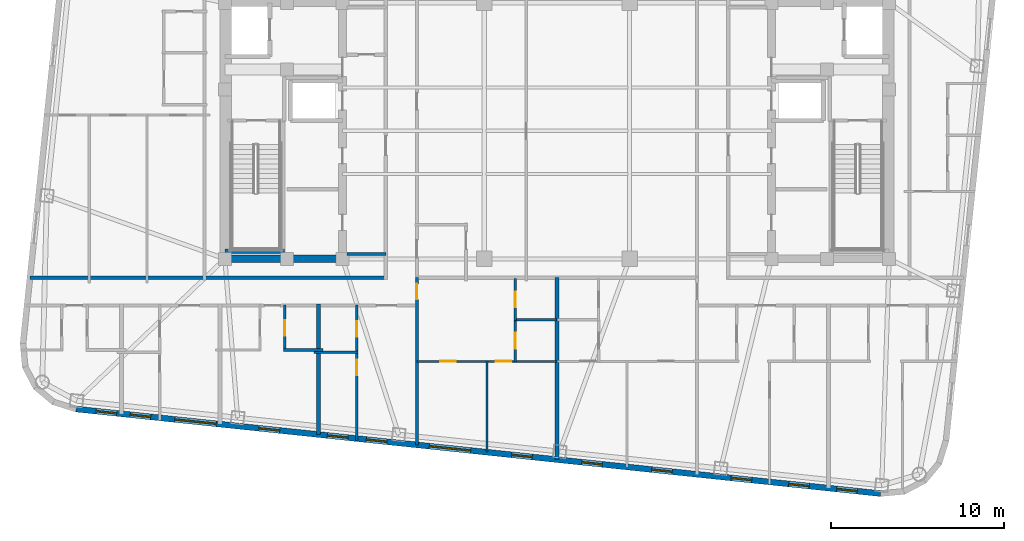
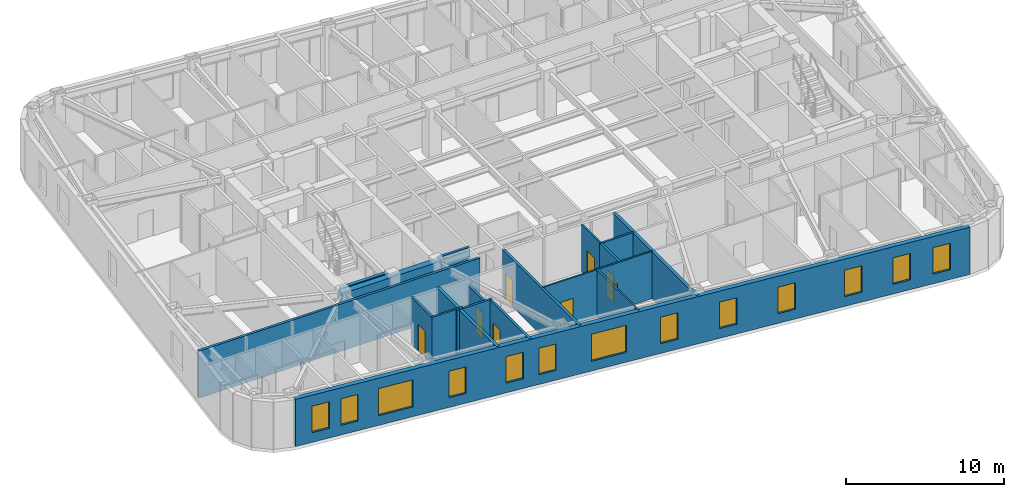
# One storey, part 3 of 11: 18 walls, 13 windows, 8 doors, 21 openings.
"""IFC4 building model written with IfcOpenShell, lengths in metres."""

from ifc_helpers import new_model, si_unit, direction, frame, frame_2d, origin, place, context, subcontext, project, spatial, rectangle, extrude, material, layer, layer_set, type_object, element, fill, save


model = new_model("IFC4")

# Units and contexts
model_context = context("Model", 3, precision=1e-05, world=origin(), true_north=direction((0.0, 1.0)))
body_context = subcontext(model_context, "Body", "Model", "MODEL_VIEW")
ifc_project = project(units=[si_unit("LENGTHUNIT", "METRE"), si_unit("AREAUNIT", "SQUARE_METRE"), si_unit("VOLUMEUNIT", "CUBIC_METRE"), si_unit("PLANEANGLEUNIT", "RADIAN"), si_unit("MASSUNIT", "GRAM", prefix="KILO")], contexts=[model_context])

# Site, building, storey
site_placement = place(None, origin())
site = spatial("IfcSite", under=ifc_project, at=site_placement, CompositionType="ELEMENT")
building_placement = place(site_placement, origin())
building = spatial("IfcBuilding", under=site, at=building_placement, Name="Voryun Gate Residences", CompositionType="ELEMENT")
storey_placement = place(building_placement, frame((0.0, 0.0, 271.699951171875)))
storey = spatial("IfcBuildingStorey", under=building, at=storey_placement, Name="L67", CompositionType="ELEMENT", Elevation=271.699951171875)

# Walls
ifc_material_1 = material(Name="Concrete C50/60", Category="concrete")
ifc_layer_1 = layer(ifc_material_1, 0.449951171875, Name="CW_CORE_450")
ifc_layer_set_1 = layer_set([ifc_layer_1], Name="Concrete C50/60")
wall_type_1 = type_object("IfcWallType", Name="CW_CORE_450", PredefinedType="SHEAR", material=ifc_layer_set_1)
wall_1_placement = place(storey_placement, frame((-19.425048828125, -7.39990234375, 0.0), z_axis=(0.0, 0.0, 1.0), x_axis=(1.0, 0.0, 0.0)))
element("IfcWall", 1, at=wall_1_placement, inside=storey, type_object=wall_type_1, Name="L67 Core shear wall CW-L67-WS", PredefinedType="SHEAR", context=body_context, shape_type="SweptSolid", body=[
    extrude(rectangle(XDim=7.25, YDim=0.449951171875, at=frame_2d((3.625, 0.0))), origin(), (0.0, 0.0, 1.0), 3.650146484375),
])
ifc_material_2 = material(Name="Gypsum acoustic fireboard")
ifc_layer_2 = layer(ifc_material_2, 0.179931640625, Name="W_CORR_RATED_180")
ifc_layer_set_2 = layer_set([ifc_layer_2], Name="Gypsum acoustic fireboard")
wall_type_2 = type_object("IfcWallType", Name="W_CORR_RATED_180", PredefinedType="PARTITIONING", material=ifc_layer_set_2)
wall_2_placement = place(storey_placement, frame((-12.14990234375, -7.1201171875, 0.0), z_axis=(0.0, 0.0, 1.0), x_axis=(1.0, 0.0, 0.0)))
element("IfcWall", 2, at=wall_2_placement, inside=storey, type_object=wall_type_2, Name="Partition wall WP-L67-PLBS-W", PredefinedType="PARTITIONING", context=body_context, shape_type="SweptSolid", body=[
    extrude(rectangle(XDim=2.27001953125, YDim=0.179931640625, at=frame_2d((1.135009765625, 0.0))), origin(), (0.0, 0.0, 1.0), 3.650146484375),
])
wall_3_placement = place(storey_placement, frame((-30.47021484375, -8.489990234375, 0.0), z_axis=(0.0, 0.0, 1.0), x_axis=(1.0, 0.0, 0.0)))
element("IfcWall", 3, at=wall_3_placement, inside=storey, type_object=wall_type_2, Name="Partition wall WP-L67-CWING-WS", PredefinedType="PARTITIONING", context=body_context, shape_type="SweptSolid", body=[
    extrude(rectangle(XDim=20.59033203125, YDim=0.179931640625, at=frame_2d((10.295166015625, 0.0))), origin(), (0.0, 0.0, 1.0), 3.650146484375),
])

# Wall, opening, door
wall_4_placement = place(storey_placement, frame((-8.10009765625, -18.154541015625, 0.0), z_axis=(0.0, 0.0, 1.0), x_axis=(0.0, 1.0, 0.0)))
wall_4 = element("IfcWall", 4, at=wall_4_placement, inside=storey, type_object=wall_type_2, Name="Partition wall WP-L67-SZV-1", PredefinedType="PARTITIONING", context=body_context, shape_type="SweptSolid", body=[
    extrude(rectangle(XDim=9.66455078125, YDim=0.179931640625, at=frame_2d((4.832275390625, 0.0))), origin(), (0.0, 0.0, 1.0), 3.650146484375),
])
opening_1_placement = place(wall_4_placement, frame((8.414306640625, 0.0, 0.0)))
opening_1 = element("IfcOpeningElement", 5, at=opening_1_placement, cuts=wall_4, Name="Opening D-INT-2", PredefinedType="OPENING", context=body_context, shape_type="SweptSolid", body=[
    extrude(rectangle(XDim=0.89990234375, YDim=2.050048828125, at=frame_2d((0.449951171875, 1.02490234375))), frame((0.0, 0.099853515625, 0.0), z_axis=(0.0, -1.0, 0.0), x_axis=(1.0, 0.0, 0.0)), (0.0, 0.0, 1.0), 0.199951171875),
])
ifc_material_3 = material(Name="Architectural oak veneer")
door_type = type_object("IfcDoorType", Name="DR_INT_BATH_900", OperationType="NOTDEFINED", PredefinedType="DOOR", material=ifc_material_3)
door_1_placement = place(opening_1_placement, origin())
door_1 = element("IfcDoor", 6, at=door_1_placement, inside=storey, type_object=door_type, Name="Door DR-L67-SZENT-1", OperationType="SINGLE_SWING_LEFT", OverallHeight=2.050048828125, OverallWidth=0.89990234375, PredefinedType="DOOR", context=body_context, shape_type="SweptSolid", body=[
    extrude(rectangle(XDim=0.89990234375, YDim=2.050048828125, at=frame_2d((0.449951171875, 1.02490234375))), frame((0.0, 0.02490234375, 0.0), z_axis=(0.0, -1.0, 0.0), x_axis=(1.0, 0.0, 0.0)), (0.0, 0.0, 1.0), 0.050048828125),
])
fill(opening_1, door_1)

# Wall, openings, windows
ifc_material_4 = material(Name="Charcoal terracotta masonry", Category="masonry")
ifc_layer_3 = layer(ifc_material_4, 0.340087890625, Name="W_EXT_TERRACOTTA_340")
ifc_layer_set_3 = layer_set([ifc_layer_3], Name="Charcoal terracotta masonry")
wall_type_3 = type_object("IfcWallType", Name="W_EXT_TERRACOTTA_340", PredefinedType="ELEMENTEDWALL", material=ifc_layer_set_3)
wall_5_placement = place(storey_placement, frame((18.707763671875, -20.97216796875, 0.0), z_axis=(0.0, 0.0, 1.0), x_axis=(-0.994521888554, 0.104528528102, 0.0)))
wall_5 = element("IfcWall", 7, at=wall_5_placement, inside=storey, type_object=wall_type_3, Name="Exterior wall WEXT-L67-01", PredefinedType="ELEMENTEDWALL", context=body_context, shape_type="SweptSolid", body=[
    extrude(rectangle(XDim=46.766357421875, YDim=0.340087890625, at=frame_2d((23.38330078125, 0.0))), origin(), (0.0, 0.0, 1.0), 3.650146484375),
])
opening_2_placement = place(wall_5_placement, frame((23.833251953125, 0.0, 0.75)))
opening_2 = element("IfcOpeningElement", 8, at=opening_2_placement, cuts=wall_5, Name="Opening WN2", PredefinedType="OPENING", context=body_context, shape_type="SweptSolid", body=[
    extrude(rectangle(XDim=2.39990234375, YDim=2.10009765625, at=frame_2d((1.199951171875, 1.050048828125))), frame((0.0, 0.179931640625, 0.0), z_axis=(0.0, -1.0, 0.0), x_axis=(1.0, 0.0, 0.0)), (0.0, 0.0, 1.0), 0.360107421875),
])
opening_3_placement = place(wall_5_placement, frame((38.6220703125, 0.0, 0.75)))
opening_3 = element("IfcOpeningElement", 9, at=opening_3_placement, cuts=wall_5, Name="Opening WN2", PredefinedType="OPENING", context=body_context, shape_type="SweptSolid", body=[
    extrude(rectangle(XDim=2.39990234375, YDim=2.10009765625, at=frame_2d((1.199951171875, 1.050048828125))), frame((0.0, 0.179931640625, 0.0), z_axis=(0.0, -1.0, 0.0), x_axis=(1.0, 0.0, 0.0)), (0.0, 0.0, 1.0), 0.360107421875),
])
opening_4_placement = place(wall_5_placement, frame((44.40185546875, 0.0, 0.75)))
opening_4 = element("IfcOpeningElement", 10, at=opening_4_placement, cuts=wall_5, Name="Opening WN6", PredefinedType="OPENING", context=body_context, shape_type="SweptSolid", body=[
    extrude(rectangle(XDim=1.199951171875, YDim=2.050048828125, at=frame_2d((0.60009765625, 1.02490234375))), frame((0.0, 0.179931640625, 0.0), z_axis=(0.0, -1.0, 0.0), x_axis=(1.0, 0.0, 0.0)), (0.0, 0.0, 1.0), 0.360107421875),
])
opening_5_placement = place(wall_5_placement, frame((42.418701171875, 0.0, 0.75)))
opening_5 = element("IfcOpeningElement", 11, at=opening_5_placement, cuts=wall_5, Name="Opening WN6", PredefinedType="OPENING", context=body_context, shape_type="SweptSolid", body=[
    extrude(rectangle(XDim=1.199951171875, YDim=2.050048828125, at=frame_2d((0.60009765625, 1.02490234375))), frame((0.0, 0.179931640625, 0.0), z_axis=(0.0, -1.0, 0.0), x_axis=(1.0, 0.0, 0.0)), (0.0, 0.0, 1.0), 0.360107421875),
])
opening_6_placement = place(wall_5_placement, frame((34.93310546875, 0.0, 0.75)))
opening_6 = element("IfcOpeningElement", 12, at=opening_6_placement, cuts=wall_5, Name="Opening WN6", PredefinedType="OPENING", context=body_context, shape_type="SweptSolid", body=[
    extrude(rectangle(XDim=1.199951171875, YDim=2.050048828125, at=frame_2d((0.60009765625, 1.02490234375))), frame((0.0, 0.179931640625, 0.0), z_axis=(0.0, -1.0, 0.0), x_axis=(1.0, 0.0, 0.0)), (0.0, 0.0, 1.0), 0.360107421875),
])
opening_7_placement = place(wall_5_placement, frame((28.69189453125, 0.0, 0.75)))
opening_7 = element("IfcOpeningElement", 13, at=opening_7_placement, cuts=wall_5, Name="Opening WN6", PredefinedType="OPENING", context=body_context, shape_type="SweptSolid", body=[
    extrude(rectangle(XDim=1.199951171875, YDim=2.050048828125, at=frame_2d((0.60009765625, 1.02490234375))), frame((0.0, 0.179931640625, 0.0), z_axis=(0.0, -1.0, 0.0), x_axis=(1.0, 0.0, 0.0)), (0.0, 0.0, 1.0), 0.360107421875),
])
opening_8_placement = place(wall_5_placement, frame((30.95703125, 0.0, 0.75)))
opening_8 = element("IfcOpeningElement", 14, at=opening_8_placement, cuts=wall_5, Name="Opening WN6", PredefinedType="OPENING", context=body_context, shape_type="SweptSolid", body=[
    extrude(rectangle(XDim=1.199951171875, YDim=2.050048828125, at=frame_2d((0.60009765625, 1.02490234375))), frame((0.0, 0.179931640625, 0.0), z_axis=(0.0, -1.0, 0.0), x_axis=(1.0, 0.0, 0.0)), (0.0, 0.0, 1.0), 0.360107421875),
])
opening_9_placement = place(wall_5_placement, frame((7.491943359375, 0.0, 0.75)))
opening_9 = element("IfcOpeningElement", 15, at=opening_9_placement, cuts=wall_5, Name="Opening WN6", PredefinedType="OPENING", context=body_context, shape_type="SweptSolid", body=[
    extrude(rectangle(XDim=1.199951171875, YDim=2.050048828125, at=frame_2d((0.60009765625, 1.02490234375))), frame((0.0, 0.179931640625, 0.0), z_axis=(0.0, -1.0, 0.0), x_axis=(1.0, 0.0, 0.0)), (0.0, 0.0, 1.0), 0.360107421875),
])
opening_10_placement = place(wall_5_placement, frame((4.14111328125, 0.0, 0.75)))
opening_10 = element("IfcOpeningElement", 16, at=opening_10_placement, cuts=wall_5, Name="Opening WN6", PredefinedType="OPENING", context=body_context, shape_type="SweptSolid", body=[
    extrude(rectangle(XDim=1.199951171875, YDim=2.050048828125, at=frame_2d((0.60009765625, 1.02490234375))), frame((0.0, 0.179931640625, 0.0), z_axis=(0.0, -1.0, 0.0), x_axis=(1.0, 0.0, 0.0)), (0.0, 0.0, 1.0), 0.360107421875),
])
opening_11_placement = place(wall_5_placement, frame((1.359619140625, 0.0, 0.75)))
opening_11 = element("IfcOpeningElement", 17, at=opening_11_placement, cuts=wall_5, Name="Opening WN6", PredefinedType="OPENING", context=body_context, shape_type="SweptSolid", body=[
    extrude(rectangle(XDim=1.199951171875, YDim=2.050048828125, at=frame_2d((0.60009765625, 1.02490234375))), frame((0.0, 0.179931640625, 0.0), z_axis=(0.0, -1.0, 0.0), x_axis=(1.0, 0.0, 0.0)), (0.0, 0.0, 1.0), 0.360107421875),
])
opening_12_placement = place(wall_5_placement, frame((20.25439453125, 0.0, 0.75)))
opening_12 = element("IfcOpeningElement", 18, at=opening_12_placement, cuts=wall_5, Name="Opening WN6", PredefinedType="OPENING", context=body_context, shape_type="SweptSolid", body=[
    extrude(rectangle(XDim=1.199951171875, YDim=2.050048828125, at=frame_2d((0.60009765625, 1.02490234375))), frame((0.0, 0.179931640625, 0.0), z_axis=(0.0, -1.0, 0.0), x_axis=(1.0, 0.0, 0.0)), (0.0, 0.0, 1.0), 0.360107421875),
])
opening_13_placement = place(wall_5_placement, frame((16.172119140625, 0.0, 0.75)))
opening_13 = element("IfcOpeningElement", 19, at=opening_13_placement, cuts=wall_5, Name="Opening WN6", PredefinedType="OPENING", context=body_context, shape_type="SweptSolid", body=[
    extrude(rectangle(XDim=1.199951171875, YDim=2.050048828125, at=frame_2d((0.60009765625, 1.02490234375))), frame((0.0, 0.179931640625, 0.0), z_axis=(0.0, -1.0, 0.0), x_axis=(1.0, 0.0, 0.0)), (0.0, 0.0, 1.0), 0.360107421875),
])
opening_14_placement = place(wall_5_placement, frame((12.109619140625, 0.0, 0.75)))
opening_14 = element("IfcOpeningElement", 20, at=opening_14_placement, cuts=wall_5, Name="Opening WN6", PredefinedType="OPENING", context=body_context, shape_type="SweptSolid", body=[
    extrude(rectangle(XDim=1.199951171875, YDim=2.050048828125, at=frame_2d((0.60009765625, 1.02490234375))), frame((0.0, 0.179931640625, 0.0), z_axis=(0.0, -1.0, 0.0), x_axis=(1.0, 0.0, 0.0)), (0.0, 0.0, 1.0), 0.360107421875),
])
ifc_material_5 = material(Name="Laminated low-E glass", Category="glass")
window_type_1 = type_object("IfcWindowType", Name="WN_POD_SLOT_1200", PartitioningType="SINGLE_PANEL", PredefinedType="WINDOW", material=ifc_material_5)
window_1_placement = place(opening_4_placement, origin())
window_1 = element("IfcWindow", 21, at=window_1_placement, inside=storey, type_object=window_type_1, Name="Window WN-L67-DWFIX-15", OverallHeight=2.050048828125, OverallWidth=1.199951171875, PartitioningType="SINGLE_PANEL", PredefinedType="WINDOW", context=body_context, shape_type="SweptSolid", body=[
    extrude(rectangle(XDim=1.199951171875, YDim=2.050048828125, at=frame_2d((0.60009765625, 1.02490234375))), frame((0.0, 0.030029296875, 0.0), z_axis=(0.0, -1.0, 0.0), x_axis=(1.0, 0.0, 0.0)), (0.0, 0.0, 1.0), 0.06005859375),
])
fill(opening_4, window_1)
window_2_placement = place(opening_5_placement, origin())
window_2 = element("IfcWindow", 22, at=window_2_placement, inside=storey, type_object=window_type_1, Name="Window WN-L67-DWFIX-16", OverallHeight=2.050048828125, OverallWidth=1.199951171875, PartitioningType="SINGLE_PANEL", PredefinedType="WINDOW", context=body_context, shape_type="SweptSolid", body=[
    extrude(rectangle(XDim=1.199951171875, YDim=2.050048828125, at=frame_2d((0.60009765625, 1.02490234375))), frame((0.0, 0.030029296875, 0.0), z_axis=(0.0, -1.0, 0.0), x_axis=(1.0, 0.0, 0.0)), (0.0, 0.0, 1.0), 0.06005859375),
])
fill(opening_5, window_2)
window_3_placement = place(opening_6_placement, origin())
window_3 = element("IfcWindow", 23, at=window_3_placement, inside=storey, type_object=window_type_1, Name="Window WN-L67-DWFIX-17", OverallHeight=2.050048828125, OverallWidth=1.199951171875, PartitioningType="SINGLE_PANEL", PredefinedType="WINDOW", context=body_context, shape_type="SweptSolid", body=[
    extrude(rectangle(XDim=1.199951171875, YDim=2.050048828125, at=frame_2d((0.60009765625, 1.02490234375))), frame((0.0, 0.030029296875, 0.0), z_axis=(0.0, -1.0, 0.0), x_axis=(1.0, 0.0, 0.0)), (0.0, 0.0, 1.0), 0.06005859375),
])
fill(opening_6, window_3)
window_4_placement = place(opening_7_placement, origin())
window_4 = element("IfcWindow", 24, at=window_4_placement, inside=storey, type_object=window_type_1, Name="Window WN-L67-DWFIX-18", OverallHeight=2.050048828125, OverallWidth=1.199951171875, PartitioningType="SINGLE_PANEL", PredefinedType="WINDOW", context=body_context, shape_type="SweptSolid", body=[
    extrude(rectangle(XDim=1.199951171875, YDim=2.050048828125, at=frame_2d((0.60009765625, 1.02490234375))), frame((0.0, 0.030029296875, 0.0), z_axis=(0.0, -1.0, 0.0), x_axis=(1.0, 0.0, 0.0)), (0.0, 0.0, 1.0), 0.06005859375),
])
fill(opening_7, window_4)
window_5_placement = place(opening_8_placement, origin())
window_5 = element("IfcWindow", 25, at=window_5_placement, inside=storey, type_object=window_type_1, Name="Window WN-L67-DWFIX-19", OverallHeight=2.050048828125, OverallWidth=1.199951171875, PartitioningType="SINGLE_PANEL", PredefinedType="WINDOW", context=body_context, shape_type="SweptSolid", body=[
    extrude(rectangle(XDim=1.199951171875, YDim=2.050048828125, at=frame_2d((0.60009765625, 1.02490234375))), frame((0.0, 0.030029296875, 0.0), z_axis=(0.0, -1.0, 0.0), x_axis=(1.0, 0.0, 0.0)), (0.0, 0.0, 1.0), 0.06005859375),
])
fill(opening_8, window_5)
window_6_placement = place(opening_9_placement, origin())
window_6 = element("IfcWindow", 26, at=window_6_placement, inside=storey, type_object=window_type_1, Name="Window WN-L67-DWFIX-20", OverallHeight=2.050048828125, OverallWidth=1.199951171875, PartitioningType="SINGLE_PANEL", PredefinedType="WINDOW", context=body_context, shape_type="SweptSolid", body=[
    extrude(rectangle(XDim=1.199951171875, YDim=2.050048828125, at=frame_2d((0.60009765625, 1.02490234375))), frame((0.0, 0.030029296875, 0.0), z_axis=(0.0, -1.0, 0.0), x_axis=(1.0, 0.0, 0.0)), (0.0, 0.0, 1.0), 0.06005859375),
])
fill(opening_9, window_6)
window_7_placement = place(opening_10_placement, origin())
window_7 = element("IfcWindow", 27, at=window_7_placement, inside=storey, type_object=window_type_1, Name="Window WN-L67-DWFIX-21", OverallHeight=2.050048828125, OverallWidth=1.199951171875, PartitioningType="SINGLE_PANEL", PredefinedType="WINDOW", context=body_context, shape_type="SweptSolid", body=[
    extrude(rectangle(XDim=1.199951171875, YDim=2.050048828125, at=frame_2d((0.60009765625, 1.02490234375))), frame((0.0, 0.030029296875, 0.0), z_axis=(0.0, -1.0, 0.0), x_axis=(1.0, 0.0, 0.0)), (0.0, 0.0, 1.0), 0.06005859375),
])
fill(opening_10, window_7)
window_8_placement = place(opening_11_placement, origin())
window_8 = element("IfcWindow", 28, at=window_8_placement, inside=storey, type_object=window_type_1, Name="Window WN-L67-DWFIX-22", OverallHeight=2.050048828125, OverallWidth=1.199951171875, PartitioningType="SINGLE_PANEL", PredefinedType="WINDOW", context=body_context, shape_type="SweptSolid", body=[
    extrude(rectangle(XDim=1.199951171875, YDim=2.050048828125, at=frame_2d((0.60009765625, 1.02490234375))), frame((0.0, 0.030029296875, 0.0), z_axis=(0.0, -1.0, 0.0), x_axis=(1.0, 0.0, 0.0)), (0.0, 0.0, 1.0), 0.06005859375),
])
fill(opening_11, window_8)
window_9_placement = place(opening_12_placement, origin())
window_9 = element("IfcWindow", 29, at=window_9_placement, inside=storey, type_object=window_type_1, Name="Window WN-L67-DWFIX-24", OverallHeight=2.050048828125, OverallWidth=1.199951171875, PartitioningType="SINGLE_PANEL", PredefinedType="WINDOW", context=body_context, shape_type="SweptSolid", body=[
    extrude(rectangle(XDim=1.199951171875, YDim=2.050048828125, at=frame_2d((0.60009765625, 1.02490234375))), frame((0.0, 0.030029296875, 0.0), z_axis=(0.0, -1.0, 0.0), x_axis=(1.0, 0.0, 0.0)), (0.0, 0.0, 1.0), 0.06005859375),
])
fill(opening_12, window_9)
window_10_placement = place(opening_13_placement, origin())
window_10 = element("IfcWindow", 30, at=window_10_placement, inside=storey, type_object=window_type_1, Name="Window WN-L67-DWFIX-25", OverallHeight=2.050048828125, OverallWidth=1.199951171875, PartitioningType="SINGLE_PANEL", PredefinedType="WINDOW", context=body_context, shape_type="SweptSolid", body=[
    extrude(rectangle(XDim=1.199951171875, YDim=2.050048828125, at=frame_2d((0.60009765625, 1.02490234375))), frame((0.0, 0.030029296875, 0.0), z_axis=(0.0, -1.0, 0.0), x_axis=(1.0, 0.0, 0.0)), (0.0, 0.0, 1.0), 0.06005859375),
])
fill(opening_13, window_10)
window_11_placement = place(opening_14_placement, origin())
window_11 = element("IfcWindow", 31, at=window_11_placement, inside=storey, type_object=window_type_1, Name="Window WN-L67-DWFIX-26", OverallHeight=2.050048828125, OverallWidth=1.199951171875, PartitioningType="SINGLE_PANEL", PredefinedType="WINDOW", context=body_context, shape_type="SweptSolid", body=[
    extrude(rectangle(XDim=1.199951171875, YDim=2.050048828125, at=frame_2d((0.60009765625, 1.02490234375))), frame((0.0, 0.030029296875, 0.0), z_axis=(0.0, -1.0, 0.0), x_axis=(1.0, 0.0, 0.0)), (0.0, 0.0, 1.0), 0.06005859375),
])
fill(opening_14, window_11)
ifc_material_6 = material(Name="Laminated low-E glass", Category="glass")
window_type_2 = type_object("IfcWindowType", Name="WN_RES_WIDE_2400", PartitioningType="SINGLE_PANEL", PredefinedType="WINDOW", material=ifc_material_6)
window_12_placement = place(opening_2_placement, origin())
window_12 = element("IfcWindow", 32, at=window_12_placement, inside=storey, type_object=window_type_2, Name="Window WN-WEXT-L67-01-02", OverallHeight=2.10009765625, OverallWidth=2.39990234375, PartitioningType="SINGLE_PANEL", PredefinedType="WINDOW", context=body_context, shape_type="SweptSolid", body=[
    extrude(rectangle(XDim=2.39990234375, YDim=2.10009765625, at=frame_2d((1.199951171875, 1.050048828125))), frame((0.0, 0.030029296875, 0.0), z_axis=(0.0, -1.0, 0.0), x_axis=(1.0, 0.0, 0.0)), (0.0, 0.0, 1.0), 0.06005859375),
])
fill(opening_2, window_12)
window_13_placement = place(opening_3_placement, origin())
window_13 = element("IfcWindow", 33, at=window_13_placement, inside=storey, type_object=window_type_2, Name="Window WN-WEXT-L67-01-03", OverallHeight=2.10009765625, OverallWidth=2.39990234375, PartitioningType="SINGLE_PANEL", PredefinedType="WINDOW", context=body_context, shape_type="SweptSolid", body=[
    extrude(rectangle(XDim=2.39990234375, YDim=2.10009765625, at=frame_2d((1.199951171875, 1.050048828125))), frame((0.0, 0.030029296875, 0.0), z_axis=(0.0, -1.0, 0.0), x_axis=(1.0, 0.0, 0.0)), (0.0, 0.0, 1.0), 0.06005859375),
])
fill(opening_3, window_13)

# Walls
ifc_material_7 = material(Name="Concrete C40/50", Category="concrete")
ifc_layer_4 = layer(ifc_material_7, 0.219970703125, Name="W_PARTY_ACOUSTIC_220")
ifc_layer_set_4 = layer_set([ifc_layer_4], Name="Concrete C40/50")
wall_type_4 = type_object("IfcWallType", Name="W_PARTY_ACOUSTIC_220", PredefinedType="PARTITIONING", material=ifc_layer_set_4)
wall_6_placement = place(storey_placement, frame((-13.779052734375, -17.5576171875, 0.0), z_axis=(0.0, 0.0, 1.0), x_axis=(0.0, 1.0, 0.0)))
element("IfcWall", 34, at=wall_6_placement, inside=storey, type_object=wall_type_4, Name="Partition wall WP-L67-SPTY-3", PredefinedType="PARTITIONING", context=body_context, shape_type="SweptSolid", body=[
    extrude(rectangle(XDim=7.53759765625, YDim=0.219970703125, at=frame_2d((3.768798828125, 0.0))), origin(), (0.0, 0.0, 1.0), 3.650146484375),
])
wall_7_placement = place(storey_placement, frame((0.0, -19.005859375, 0.0), z_axis=(0.0, 0.0, 1.0), x_axis=(0.0, 1.0, 0.0)))
element("IfcWall", 35, at=wall_7_placement, inside=storey, type_object=wall_type_4, Name="Partition wall WP-L67-SZMID", PredefinedType="PARTITIONING", context=body_context, shape_type="SweptSolid", body=[
    extrude(rectangle(XDim=10.515869140625, YDim=0.219970703125, at=frame_2d((5.2578125, 0.0))), origin(), (0.0, 0.0, 1.0), 3.650146484375),
])
ifc_material_8 = material(Name="Concrete C50/60", Category="concrete")
ifc_layer_5 = layer(ifc_material_8, 0.25, Name="W_SHAFT_RC250")
ifc_layer_set_5 = layer_set([ifc_layer_5], Name="Concrete C50/60")
wall_type_5 = type_object("IfcWallType", Name="W_SHAFT_RC250", PredefinedType="SOLIDWALL", material=ifc_layer_set_5)
wall_8_placement = place(storey_placement, frame((-19.199951171875, -6.965087890625, 0.0), z_axis=(0.0, 0.0, 1.0), x_axis=(1.0, 0.0, 0.0)))
element("IfcWall", 36, at=wall_8_placement, inside=storey, type_object=wall_type_5, Name="L67 Stair shaft structural wall W-STS", PredefinedType="SOLIDWALL", context=body_context, shape_type="SweptSolid", body=[
    extrude(rectangle(XDim=3.4599609375, YDim=0.25, at=frame_2d((1.72998046875, 0.0))), origin(), (0.0, 0.0, 1.0), 3.650146484375),
])

# Wall, openings, doors
ifc_material_9 = material(Name="Gypsum acoustic partition")
ifc_layer_6 = layer(ifc_material_9, 0.125, Name="W_UNIT_PART_125")
ifc_layer_set_6 = layer_set([ifc_layer_6], Name="Gypsum acoustic partition")
wall_type_6 = type_object("IfcWallType", Name="W_UNIT_PART_125", PredefinedType="PARTITIONING", material=ifc_layer_set_6)
wall_9_placement = place(storey_placement, frame((-8.080078125, -13.330078125, 0.0), z_axis=(0.0, 0.0, 1.0), x_axis=(1.0, 0.0, 0.0)))
wall_9 = element("IfcWall", 37, at=wall_9_placement, inside=storey, type_object=wall_type_6, Name="Partition wall WP-L67-SC1-HZ", PredefinedType="PARTITIONING", context=body_context, shape_type="SweptSolid", body=[
    extrude(rectangle(XDim=8.06005859375, YDim=0.125, at=frame_2d((4.030029296875, 0.0))), origin(), (0.0, 0.0, 1.0), 3.650146484375),
])
opening_15_placement = place(wall_9_placement, frame((1.3232421875, 0.0, 0.0)))
opening_15 = element("IfcOpeningElement", 38, at=opening_15_placement, cuts=wall_9, Name="Opening D-INT-2", PredefinedType="OPENING", context=body_context, shape_type="SweptSolid", body=[
    extrude(rectangle(XDim=0.89990234375, YDim=2.050048828125, at=frame_2d((0.449951171875, 1.02490234375))), frame((0.0, 0.072509765625, 0.0), z_axis=(0.0, -1.0, 0.0), x_axis=(1.0, 0.0, 0.0)), (0.0, 0.0, 1.0), 0.14501953125),
])
opening_16_placement = place(wall_9_placement, frame((4.547119140625, 0.0, 0.0)))
opening_16 = element("IfcOpeningElement", 39, at=opening_16_placement, cuts=wall_9, Name="Opening D-INT-2", PredefinedType="OPENING", context=body_context, shape_type="SweptSolid", body=[
    extrude(rectangle(XDim=0.89990234375, YDim=2.050048828125, at=frame_2d((0.449951171875, 1.02490234375))), frame((0.0, 0.072509765625, 0.0), z_axis=(0.0, -1.0, 0.0), x_axis=(1.0, 0.0, 0.0)), (0.0, 0.0, 1.0), 0.14501953125),
])
door_2_placement = place(opening_15_placement, origin())
door_2 = element("IfcDoor", 40, at=door_2_placement, inside=storey, type_object=door_type, Name="Door DR-L67-SC1-DMB", OperationType="SINGLE_SWING_LEFT", OverallHeight=2.050048828125, OverallWidth=0.89990234375, PredefinedType="DOOR", context=body_context, shape_type="SweptSolid", body=[
    extrude(rectangle(XDim=0.89990234375, YDim=2.050048828125, at=frame_2d((0.449951171875, 1.02490234375))), frame((0.0, 0.02490234375, 0.0), z_axis=(0.0, -1.0, 0.0), x_axis=(1.0, 0.0, 0.0)), (0.0, 0.0, 1.0), 0.050048828125),
])
fill(opening_15, door_2)
door_3_placement = place(opening_16_placement, origin())
door_3 = element("IfcDoor", 41, at=door_3_placement, inside=storey, type_object=door_type, Name="Door DR-L67-SC1-DBD2", OperationType="SINGLE_SWING_RIGHT", OverallHeight=2.050048828125, OverallWidth=0.89990234375, PredefinedType="DOOR", context=body_context, shape_type="SweptSolid", body=[
    extrude(rectangle(XDim=0.89990234375, YDim=2.050048828125, at=frame_2d((0.449951171875, 1.02490234375))), frame((0.0, 0.02490234375, 0.0), z_axis=(0.0, -1.0, 0.0), x_axis=(1.0, 0.0, 0.0)), (0.0, 0.0, 1.0), 0.050048828125),
])
fill(opening_16, door_3)

# Wall, opening, door
wall_10_placement = place(storey_placement, frame((-2.409912109375, -10.9599609375, 0.0), z_axis=(0.0, 0.0, 1.0), x_axis=(0.0, 1.0, 0.0)))
wall_10 = element("IfcWall", 42, at=wall_10_placement, inside=storey, type_object=wall_type_6, Name="Partition wall WP-L67-SC1-VK1", PredefinedType="PARTITIONING", context=body_context, shape_type="SweptSolid", body=[
    extrude(rectangle(XDim=2.409912109375, YDim=0.125, at=frame_2d((1.205078125, 0.0))), origin(), (0.0, 0.0, 1.0), 3.650146484375),
])
opening_17_placement = place(wall_10_placement, frame((0.7548828125, 0.0, 0.0)))
opening_17 = element("IfcOpeningElement", 43, at=opening_17_placement, cuts=wall_10, Name="Opening D-INT-2", PredefinedType="OPENING", context=body_context, shape_type="SweptSolid", body=[
    extrude(rectangle(XDim=0.89990234375, YDim=2.050048828125, at=frame_2d((0.449951171875, 1.02490234375))), frame((0.0, 0.072509765625, 0.0), z_axis=(0.0, -1.0, 0.0), x_axis=(1.0, 0.0, 0.0)), (0.0, 0.0, 1.0), 0.14501953125),
])
door_4_placement = place(opening_17_placement, origin())
door_4 = element("IfcDoor", 44, at=door_4_placement, inside=storey, type_object=door_type, Name="Door DR-L67-SC1-DK", OperationType="SINGLE_SWING_LEFT", OverallHeight=2.050048828125, OverallWidth=0.89990234375, PredefinedType="DOOR", context=body_context, shape_type="SweptSolid", body=[
    extrude(rectangle(XDim=0.89990234375, YDim=2.050048828125, at=frame_2d((0.449951171875, 1.02490234375))), frame((0.0, 0.02490234375, 0.0), z_axis=(0.0, -1.0, 0.0), x_axis=(1.0, 0.0, 0.0)), (0.0, 0.0, 1.0), 0.050048828125),
])
fill(opening_17, door_4)

# Wall
wall_11_placement = place(storey_placement, frame((-4.050048828125, -18.580078125, 0.0), z_axis=(0.0, 0.0, 1.0), x_axis=(0.0, 1.0, 0.0)))
element("IfcWall", 45, at=wall_11_placement, inside=storey, type_object=wall_type_6, Name="Partition wall WP-L67-SC1-VBD", PredefinedType="PARTITIONING", context=body_context, shape_type="SweptSolid", body=[
    extrude(rectangle(XDim=5.2900390625, YDim=0.125, at=frame_2d((2.64501953125, 0.0))), origin(), (0.0, 0.0, 1.0), 3.650146484375),
])

# Wall, opening, door
ifc_material_10 = material(Name="Gypsum moisture-resistant partition")
ifc_layer_7 = layer(ifc_material_10, 0.14990234375, Name="W_WET_PLUMB_150")
ifc_layer_set_7 = layer_set([ifc_layer_7], Name="Gypsum moisture-resistant partition")
wall_type_7 = type_object("IfcWallType", Name="W_WET_PLUMB_150", PredefinedType="PLUMBINGWALL", material=ifc_layer_set_7)
wall_12_placement = place(storey_placement, frame((-15.736083984375, -12.72998046875, 0.0), z_axis=(0.0, 0.0, 1.0), x_axis=(0.0, 1.0, 0.0)))
wall_12 = element("IfcWall", 46, at=wall_12_placement, inside=storey, type_object=wall_type_7, Name="Partition wall WP-L67-S3-CVB", PredefinedType="PLUMBINGWALL", context=body_context, shape_type="SweptSolid", body=[
    extrude(rectangle(XDim=2.64990234375, YDim=0.14990234375, at=frame_2d((1.324951171875, 0.0))), origin(), (0.0, 0.0, 1.0), 3.650146484375),
])
opening_18_placement = place(wall_12_placement, frame((0.875, 0.0, 0.0)))
opening_18 = element("IfcOpeningElement", 47, at=opening_18_placement, cuts=wall_12, Name="Opening D-INT-2", PredefinedType="OPENING", context=body_context, shape_type="SweptSolid", body=[
    extrude(rectangle(XDim=0.89990234375, YDim=2.050048828125, at=frame_2d((0.449951171875, 1.02490234375))), frame((0.0, 0.0849609375, 0.0), z_axis=(0.0, -1.0, 0.0), x_axis=(1.0, 0.0, 0.0)), (0.0, 0.0, 1.0), 0.169921875),
])
door_5_placement = place(opening_18_placement, origin())
door_5 = element("IfcDoor", 48, at=door_5_placement, inside=storey, type_object=door_type, Name="Door DR-L67-S3-DB", OperationType="SINGLE_SWING_RIGHT", OverallHeight=2.050048828125, OverallWidth=0.89990234375, PredefinedType="DOOR", context=body_context, shape_type="SweptSolid", body=[
    extrude(rectangle(XDim=0.89990234375, YDim=2.050048828125, at=frame_2d((0.449951171875, 1.02490234375))), frame((0.0, 0.02490234375, 0.0), z_axis=(0.0, -1.0, 0.0), x_axis=(1.0, 0.0, 0.0)), (0.0, 0.0, 1.0), 0.050048828125),
])
fill(opening_18, door_5)

# Walls
wall_13_placement = place(storey_placement, frame((-15.7958984375, -12.669921875, 0.0), z_axis=(0.0, 0.0, 1.0), x_axis=(1.0, 0.0, 0.0)))
element("IfcWall", 49, at=wall_13_placement, inside=storey, type_object=wall_type_7, Name="Partition wall WP-L67-S3-CHB", PredefinedType="PLUMBINGWALL", context=body_context, shape_type="SweptSolid", body=[
    extrude(rectangle(XDim=2.27685546875, YDim=0.14990234375, at=frame_2d((1.138427734375, 0.0))), origin(), (0.0, 0.0, 1.0), 3.650146484375),
])
wall_14_placement = place(storey_placement, frame((-14.0390625, -12.800048828125, 0.0), z_axis=(0.0, 0.0, 1.0), x_axis=(1.0, 0.0, 0.0)))
element("IfcWall", 50, at=wall_14_placement, inside=storey, type_object=wall_type_7, Name="Partition wall WP-L67-S4-SKB", PredefinedType="PLUMBINGWALL", context=body_context, shape_type="SweptSolid", body=[
    extrude(rectangle(XDim=2.550048828125, YDim=0.14990234375, at=frame_2d((1.27490234375, 0.0))), origin(), (0.0, 0.0, 1.0), 3.650146484375),
])

# Wall, opening, door
wall_15_placement = place(storey_placement, frame((-11.569091796875, -17.94091796875, 0.0), z_axis=(0.0, 0.0, 1.0), x_axis=(0.0, 1.0, 0.0)))
wall_15 = element("IfcWall", 51, at=wall_15_placement, inside=storey, type_object=wall_type_7, Name="Partition wall WP-L67-S4-SVT1", PredefinedType="PLUMBINGWALL", context=body_context, shape_type="SweptSolid", body=[
    extrude(rectangle(XDim=5.180908203125, YDim=0.14990234375, at=frame_2d((2.59033203125, 0.0))), origin(), (0.0, 0.0, 1.0), 3.650146484375),
])
opening_19_placement = place(wall_15_placement, frame((3.79833984375, 0.0, 0.0)))
opening_19 = element("IfcOpeningElement", 52, at=opening_19_placement, cuts=wall_15, Name="Opening D-INT-2", PredefinedType="OPENING", context=body_context, shape_type="SweptSolid", body=[
    extrude(rectangle(XDim=0.89990234375, YDim=2.050048828125, at=frame_2d((0.449951171875, 1.02490234375))), frame((0.0, 0.0849609375, 0.0), z_axis=(0.0, -1.0, 0.0), x_axis=(1.0, 0.0, 0.0)), (0.0, 0.0, 1.0), 0.169921875),
])
door_6_placement = place(opening_19_placement, origin())
door_6 = element("IfcDoor", 53, at=door_6_placement, inside=storey, type_object=door_type, Name="Door DR-L67-S4-DK", OperationType="SINGLE_SWING_LEFT", OverallHeight=2.050048828125, OverallWidth=0.89990234375, PredefinedType="DOOR", context=body_context, shape_type="SweptSolid", body=[
    extrude(rectangle(XDim=0.89990234375, YDim=2.050048828125, at=frame_2d((0.449951171875, 1.02490234375))), frame((0.0, 0.02490234375, 0.0), z_axis=(0.0, -1.0, 0.0), x_axis=(1.0, 0.0, 0.0)), (0.0, 0.0, 1.0), 0.050048828125),
])
fill(opening_19, door_6)

wall_16_placement = place(storey_placement, frame((-11.569091796875, -12.840087890625, 0.0), z_axis=(0.0, 0.0, 1.0), x_axis=(0.0, 1.0, 0.0)))
wall_16 = element("IfcWall", 54, at=wall_16_placement, inside=storey, type_object=wall_type_7, Name="Partition wall WP-L67-S4-SVT2", PredefinedType="PLUMBINGWALL", context=body_context, shape_type="SweptSolid", body=[
    extrude(rectangle(XDim=2.760009765625, YDim=0.14990234375, at=frame_2d((1.3798828125, 0.0))), origin(), (0.0, 0.0, 1.0), 3.090087890625),
])
opening_20_placement = place(wall_16_placement, frame((0.929931640625, 0.0, 0.0)))
opening_20 = element("IfcOpeningElement", 55, at=opening_20_placement, cuts=wall_16, Name="Opening D-INT-2", PredefinedType="OPENING", context=body_context, shape_type="SweptSolid", body=[
    extrude(rectangle(XDim=0.89990234375, YDim=2.050048828125, at=frame_2d((0.449951171875, 1.02490234375))), frame((0.0, 0.0849609375, 0.0), z_axis=(0.0, -1.0, 0.0), x_axis=(1.0, 0.0, 0.0)), (0.0, 0.0, 1.0), 0.169921875),
])
door_7_placement = place(opening_20_placement, origin())
door_7 = element("IfcDoor", 56, at=door_7_placement, inside=storey, type_object=door_type, Name="Door DR-L67-S4-DB", OperationType="SINGLE_SWING_RIGHT", OverallHeight=2.050048828125, OverallWidth=0.89990234375, PredefinedType="DOOR", context=body_context, shape_type="SweptSolid", body=[
    extrude(rectangle(XDim=0.89990234375, YDim=2.050048828125, at=frame_2d((0.449951171875, 1.02490234375))), frame((0.0, 0.02490234375, 0.0), z_axis=(0.0, -1.0, 0.0), x_axis=(1.0, 0.0, 0.0)), (0.0, 0.0, 1.0), 0.050048828125),
])
fill(opening_20, door_7)

wall_17_placement = place(storey_placement, frame((-2.409912109375, -13.3701171875, 0.0), z_axis=(0.0, 0.0, 1.0), x_axis=(0.0, 1.0, 0.0)))
wall_17 = element("IfcWall", 57, at=wall_17_placement, inside=storey, type_object=wall_type_7, Name="Partition wall WP-L67-SC1-VK2", PredefinedType="PLUMBINGWALL", context=body_context, shape_type="SweptSolid", body=[
    extrude(rectangle(XDim=2.47021484375, YDim=0.14990234375, at=frame_2d((1.235107421875, 0.0))), origin(), (0.0, 0.0, 1.0), 3.650146484375),
])
opening_21_placement = place(wall_17_placement, frame((0.784912109375, 0.0, 0.0)))
opening_21 = element("IfcOpeningElement", 58, at=opening_21_placement, cuts=wall_17, Name="Opening D-INT-2", PredefinedType="OPENING", context=body_context, shape_type="SweptSolid", body=[
    extrude(rectangle(XDim=0.89990234375, YDim=2.050048828125, at=frame_2d((0.449951171875, 1.02490234375))), frame((0.0, 0.0849609375, 0.0), z_axis=(0.0, -1.0, 0.0), x_axis=(1.0, 0.0, 0.0)), (0.0, 0.0, 1.0), 0.169921875),
])
door_8_placement = place(opening_21_placement, origin())
door_8 = element("IfcDoor", 59, at=door_8_placement, inside=storey, type_object=door_type, Name="Door DR-L67-SC1-DB", OperationType="SINGLE_SWING_RIGHT", OverallHeight=2.050048828125, OverallWidth=0.89990234375, PredefinedType="DOOR", context=body_context, shape_type="SweptSolid", body=[
    extrude(rectangle(XDim=0.89990234375, YDim=2.050048828125, at=frame_2d((0.449951171875, 1.02490234375))), frame((0.0, 0.02490234375, 0.0), z_axis=(0.0, -1.0, 0.0), x_axis=(1.0, 0.0, 0.0)), (0.0, 0.0, 1.0), 0.050048828125),
])
fill(opening_21, door_8)

# Wall
wall_18_placement = place(storey_placement, frame((-2.449951171875, -10.929931640625, 0.0), z_axis=(0.0, 0.0, 1.0), x_axis=(1.0, 0.0, 0.0)))
element("IfcWall", 60, at=wall_18_placement, inside=storey, type_object=wall_type_7, Name="Partition wall WP-L67-SC1-HKB", PredefinedType="PLUMBINGWALL", context=body_context, shape_type="SweptSolid", body=[
    extrude(rectangle(XDim=2.429931640625, YDim=0.14990234375, at=frame_2d((1.21484375, 0.0))), origin(), (0.0, 0.0, 1.0), 3.650146484375),
])

save(model, "model.ifc")
